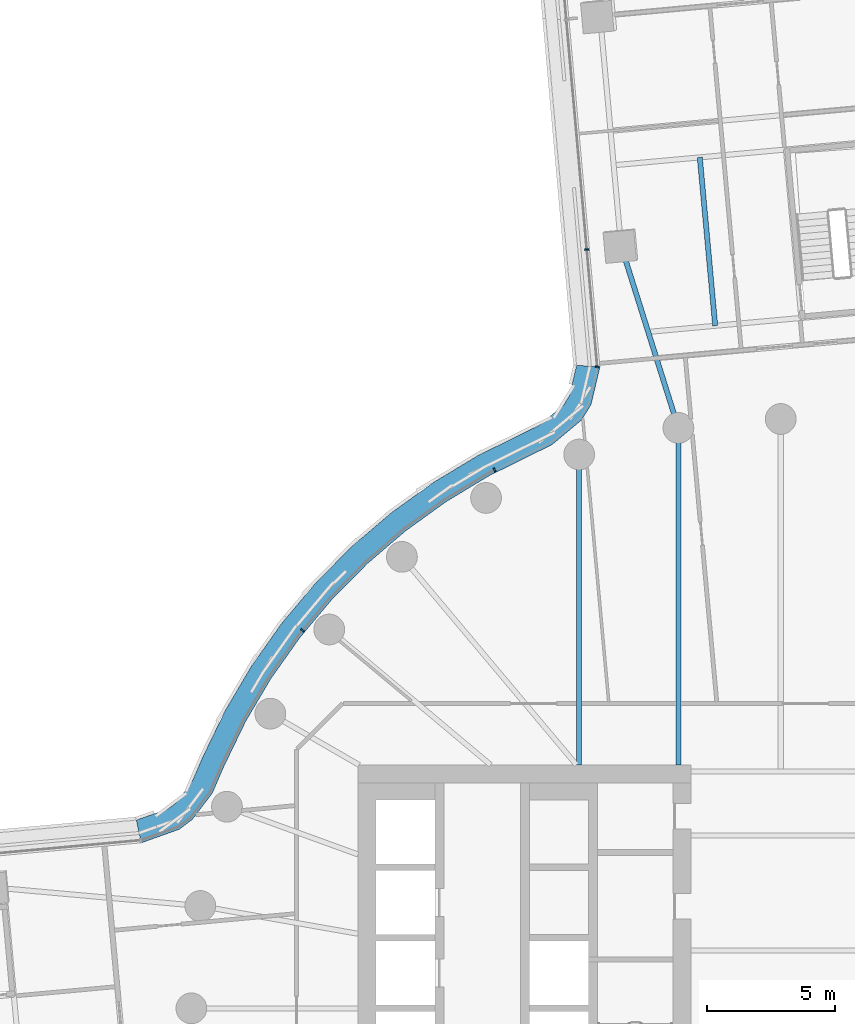
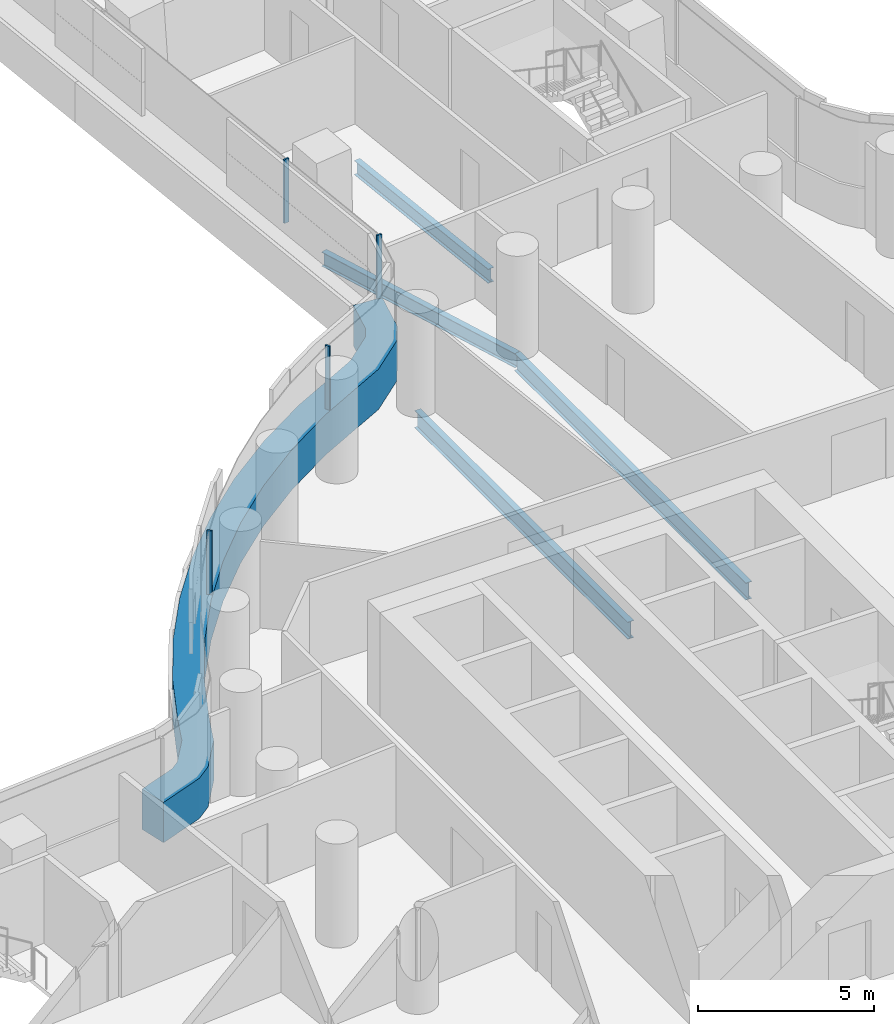
# One storey, part 13 of 31: 5 members, 4 beams, 2 elements without a shape of their own.
"""IFC4 building model written with IfcOpenShell, lengths in metres."""

from ifc_helpers import new_model, si_unit, direction, frame, origin, origin_2d, place, context, subcontext, project, spatial, polyline, rectangle, i_section, outline, extrude, material, layer, layer_set, material_profile, profile_set, type_object, element, aggregate, save


model = new_model("IFC4")

# Units and contexts
model_context = context("Model", 3, precision=1e-05, world=origin(), true_north=direction((0.0, 1.0)))
body_context = subcontext(model_context, "Body", "Model", "MODEL_VIEW")
ifc_project = project(units=[si_unit("LENGTHUNIT", "METRE"), si_unit("AREAUNIT", "SQUARE_METRE"), si_unit("VOLUMEUNIT", "CUBIC_METRE"), si_unit("PLANEANGLEUNIT", "RADIAN"), si_unit("MASSUNIT", "GRAM", prefix="KILO")], contexts=[model_context])

# Site, building, storey
site_placement = place(None, origin())
site = spatial("IfcSite", under=ifc_project, at=site_placement, CompositionType="ELEMENT")
building_placement = place(site_placement, origin())
building = spatial("IfcBuilding", under=site, at=building_placement, Name="Tamarind Cross Interchange Tower", CompositionType="ELEMENT")
storey_placement = place(building_placement, frame((0.0, 0.0, 52.75)))
storey = spatial("IfcBuildingStorey", under=building, at=storey_placement, Name="L11", CompositionType="ELEMENT", Elevation=52.75)

# Beams
ifc_material_1 = material(Name="Steel Q355B", Category="steel")
ifc_material_profile_1 = material_profile(ifc_material_1, i_section(OverallWidth=0.198974609375, OverallDepth=0.49609375, WebThickness=0.009033203125, FlangeThickness=0.013916015625, FilletRadius=0.012939453125, at=origin_2d()), Name="HN 496x199x9x14")
ifc_profile_set_1 = profile_set([ifc_material_profile_1], Name="Steel Q355B")
beam_type_1 = type_object("IfcBeamType", Name="Composite beam HN 496x199x9x14 Q355B", PredefinedType="BEAM", material=ifc_profile_set_1)
beam_1_placement = place(storey_placement, frame((-6.23291015625, 29.7646484375, -0.387939453125), z_axis=(0.300214725081, -0.953871646945, 0.0), x_axis=(0.953871646945, 0.300214725081, 0.0)))
element("IfcBeam", 1, at=beam_1_placement, inside=storey, type_object=beam_type_1, Name="Beam N-linkep", PredefinedType="BEAM", context=body_context, shape_type="SweptSolid", body=[
    extrude(i_section(OverallWidth=0.198974609375, OverallDepth=0.49609375, WebThickness=0.009033203125, FlangeThickness=0.013916015625, FilletRadius=0.012939453125, at=origin_2d()), origin(), (0.0, 0.0, 1.0), 7.4580078125),
])
beam_2_placement = place(storey_placement, frame((-2.557861328125, 26.636474609375, -0.387939453125), z_axis=(-0.091036029208, 0.995847599478, 0.0), x_axis=(-0.995847599478, -0.091036029208, 0.0)))
element("IfcBeam", 2, at=beam_2_placement, inside=storey, type_object=beam_type_1, Name="Beam N-stripp", PredefinedType="BEAM", context=body_context, shape_type="SweptSolid", body=[
    extrude(i_section(OverallWidth=0.198974609375, OverallDepth=0.49609375, WebThickness=0.009033203125, FlangeThickness=0.013916015625, FilletRadius=0.012939453125, at=origin_2d()), origin(), (0.0, 0.0, 1.0), 6.599853515625),
])
ifc_material_profile_2 = material_profile(ifc_material_1, i_section(OverallWidth=0.198974609375, OverallDepth=0.595947265625, WebThickness=0.010009765625, FlangeThickness=0.014892578125, FilletRadius=0.012939453125, at=origin_2d()), Name="HN 596x199x10x15")
ifc_profile_set_2 = profile_set([ifc_material_profile_2], Name="Steel Q355B")
beam_type_2 = type_object("IfcBeamType", Name="Composite beam HN 596x199x10x15 Q355B", PredefinedType="BEAM", material=ifc_profile_set_2)
beam_3_placement = place(storey_placement, frame((-3.993896484375, 22.650634765625, -0.43798828125), z_axis=(0.0, -1.0, 0.0), x_axis=(1.0, 0.0, 0.0)))
element("IfcBeam", 3, at=beam_3_placement, inside=storey, type_object=beam_type_2, Name="Beam HH10", PredefinedType="BEAM", context=body_context, shape_type="SweptSolid", body=[
    extrude(i_section(OverallWidth=0.198974609375, OverallDepth=0.595947265625, WebThickness=0.010009765625, FlangeThickness=0.014892578125, FilletRadius=0.012939453125, at=origin_2d()), origin(), (0.0, 0.0, 1.0), 13.150634765625),
])
beam_4_placement = place(storey_placement, frame((-7.866455078125, 21.613037109375, -0.43798828125), z_axis=(0.0, -1.0, 0.0), x_axis=(1.0, 0.0, 0.0)))
element("IfcBeam", 4, at=beam_4_placement, inside=storey, type_object=beam_type_2, Name="Beam HH11", PredefinedType="BEAM", context=body_context, shape_type="SweptSolid", body=[
    extrude(i_section(OverallWidth=0.198974609375, OverallDepth=0.595947265625, WebThickness=0.010009765625, FlangeThickness=0.014892578125, FilletRadius=0.012939453125, at=origin_2d()), origin(), (0.0, 0.0, 1.0), 12.113037109375),
])

# Curtain wall, member
ifc_material_2 = material(Name="Aluminium 6063-T6", Category="aluminium")
ifc_layer = layer(ifc_material_2, 0.159912109375)
ifc_layer_set = layer_set([ifc_layer], Name="Aluminium 6063-T6")
curtain_wall_type = type_object("IfcCurtainWallType", Name="Office curtain wall, 9.0 m bays", PredefinedType="NOTDEFINED", material=ifc_layer_set)
curtain_wall_1_placement = place(storey_placement, origin())
curtain_wall_1 = element("IfcCurtainWall", 5, at=curtain_wall_1_placement, inside=storey, type_object=curtain_wall_type, Name="CWS-L11-02", PredefinedType="NOTDEFINED")
ifc_material_3 = material(Name="Aluminium and insulated spandrel panel", Category="aluminium")
member_type_1 = type_object("IfcMemberType", Name="Floor-edge blade transom", PredefinedType="USERDEFINED", material=ifc_material_3)
member_1_placement = place(storey_placement, origin())
member_1 = element("IfcMember", 6, at=member_1_placement, type_object=member_type_1, Name="CWT-L11-02", ObjectType="TRANSOM", PredefinedType="USERDEFINED", context=body_context, shape_type="SweptSolid", body=[
    extrude(outline(polyline([(-7.056640625, 25.03173828125), (-7.4033203125, 23.560302734375), (-7.779052734375, 22.952392578125), (-8.93115234375, 21.99267578125), (-9.60107421875, 21.6640625), (-11.367431640625, 20.791015625), (-13.045654296875, 19.78125), (-14.634521484375, 18.636474609375), (-16.12353515625, 17.3642578125), (-17.50244140625, 15.973388671875), (-18.76171875, 14.4736328125), (-19.892822265625, 12.874755859375), (-20.88818359375, 11.188232421875), (-21.7431640625, 9.419677734375), (-22.182861328125, 8.39990234375), (-22.96923828125, 7.36328125), (-23.467529296875, 6.988525390625), (-24.954833984375, 6.457763671875), (-25.150146484375, 7.34375), (-23.899169921875, 7.7900390625), (-23.610595703125, 8.007080078125), (-22.966064453125, 8.856689453125), (-22.56201171875, 9.7939453125), (-21.68212890625, 11.613525390625), (-20.64892578125, 13.3642578125), (-19.474853515625, 15.023681640625), (-18.167724609375, 16.580810546875), (-16.736572265625, 18.0244140625), (-15.19091796875, 19.344970703125), (-13.54150390625, 20.533203125), (-11.799560546875, 21.581298828125), (-9.99853515625, 22.471435546875), (-9.42431640625, 22.753173828125), (-8.467529296875, 23.55029296875), (-8.245849609375, 23.908935546875), (-7.966064453125, 25.0966796875), (-7.056640625, 25.03173828125)])), origin(), (0.0, 0.0, 1.0), 1.39990234375),
])

curtain_wall_2_placement = place(storey_placement, origin())
curtain_wall_2 = element("IfcCurtainWall", 7, at=curtain_wall_2_placement, inside=storey, type_object=curtain_wall_type, Name="CWS-L11-01", PredefinedType="NOTDEFINED")
ifc_material_profile_3 = material_profile(ifc_material_2, rectangle(XDim=0.06005859375, YDim=0.159912109375, at=origin_2d()), Name="Mullion CW1")
ifc_profile_set_3 = profile_set([ifc_material_profile_3], Name="Aluminium 6063-T6")
member_type_2 = type_object("IfcMemberType", Name="Mullion CW1", PredefinedType="MULLION", material=ifc_profile_set_3)
member_2_placement = place(storey_placement, frame((-7.56494140625, 29.611572265625, 1.39990234375), z_axis=(0.0, 0.0, 1.0), x_axis=(0.088684340968, -0.996059781171, 0.0)))
member_2 = element("IfcMember", 8, at=member_2_placement, type_object=member_type_2, Name="CWM-L11-01-02", PredefinedType="MULLION", context=body_context, shape_type="SweptSolid", body=[
    extrude(rectangle(XDim=0.06005859375, YDim=0.159912109375, at=origin_2d()), origin(), (0.0, 0.0, 1.0), 2.210205078125),
])
aggregate(curtain_wall_2, [member_2])

# Member
member_3_placement = place(storey_placement, frame((-7.15771484375, 25.0390625, 1.39990234375), z_axis=(0.0, 0.0, 1.0), x_axis=(-0.071193920923, -0.997462493342, 0.0)))
member_3 = element("IfcMember", 9, at=member_3_placement, type_object=member_type_2, Name="CWM-L11-02-00", PredefinedType="MULLION", context=body_context, shape_type="SweptSolid", body=[
    extrude(rectangle(XDim=0.06005859375, YDim=0.159912109375, at=origin_2d()), origin(), (0.0, 0.0, 1.0), 2.210205078125),
])

member_4_placement = place(storey_placement, frame((-11.166259765625, 21.001953125, 1.39990234375), z_axis=(0.0, 0.0, 1.0), x_axis=(-0.896492548518, -0.443058811505, 0.0)))
member_4 = element("IfcMember", 10, at=member_4_placement, type_object=member_type_2, Name="CWM-L11-02-01", PredefinedType="MULLION", context=body_context, shape_type="SweptSolid", body=[
    extrude(rectangle(XDim=0.06005859375, YDim=0.159912109375, at=origin_2d()), origin(), (0.0, 0.0, 1.0), 2.210205078125),
])

member_5_placement = place(storey_placement, frame((-18.66015625, 14.75, 1.39990234375), z_axis=(0.0, 0.0, 1.0), x_axis=(-0.643009266048, -0.765858396687, 0.0)))
member_5 = element("IfcMember", 11, at=member_5_placement, type_object=member_type_2, Name="CWM-L11-02-02", PredefinedType="MULLION", context=body_context, shape_type="SweptSolid", body=[
    extrude(rectangle(XDim=0.06005859375, YDim=0.159912109375, at=origin_2d()), origin(), (0.0, 0.0, 1.0), 2.210205078125),
])

aggregate(curtain_wall_1, [member_3, member_4, member_5, member_1])

save(model, "model.ifc")
